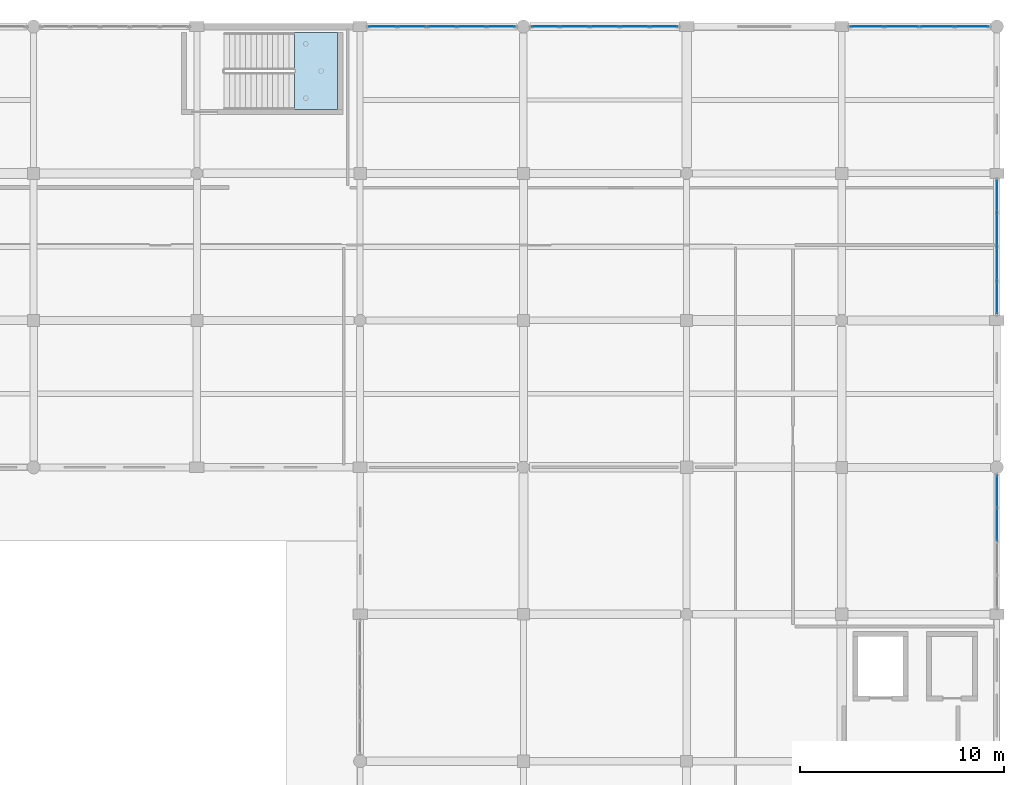
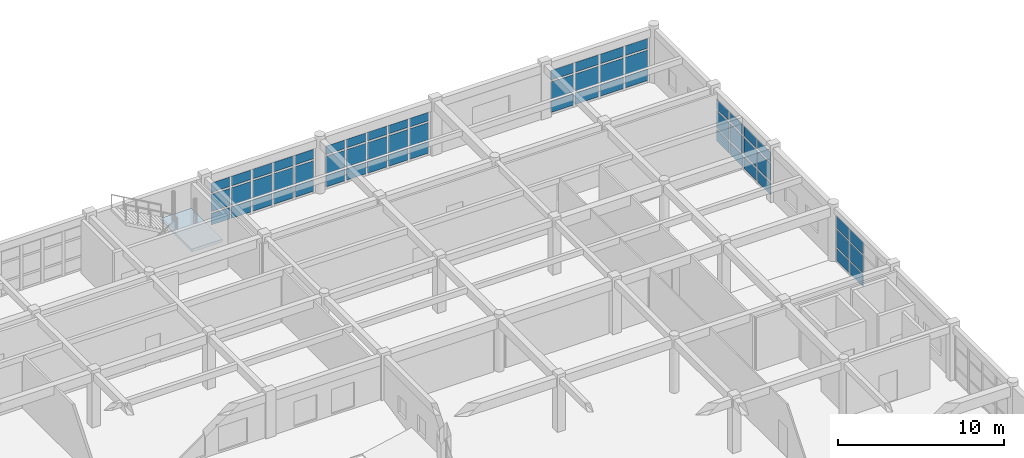
# One storey, part 100 of 121: 60 plates, 1 slab, 6 elements without a shape of their own.
"""IFC4 building model written with IfcOpenShell, lengths in metres."""

from ifc_helpers import new_model, si_unit, direction, frame, origin, origin_2d, place, context, subcontext, project, spatial, polyline, rectangle, outline, extrude, material, layer, layer_set, type_object, element, aggregate, save


model = new_model("IFC4")

# Units and contexts
model_context = context("Model", 3, precision=1e-05, world=origin(), true_north=direction((0.0, 1.0)))
body_context = subcontext(model_context, "Body", "Model", "MODEL_VIEW")
ifc_project = project(units=[si_unit("LENGTHUNIT", "METRE"), si_unit("AREAUNIT", "SQUARE_METRE"), si_unit("VOLUMEUNIT", "CUBIC_METRE"), si_unit("PLANEANGLEUNIT", "RADIAN"), si_unit("MASSUNIT", "GRAM", prefix="KILO")], contexts=[model_context])

# Site, building, storey
site_placement = place(None, origin())
site = spatial("IfcSite", under=ifc_project, at=site_placement, CompositionType="ELEMENT")
building_placement = place(site_placement, origin())
building = spatial("IfcBuilding", under=site, at=building_placement, Name="Kharva Crest Polytechnic", CompositionType="ELEMENT")
storey_placement = place(building_placement, frame((0.0, 0.0, 13.199951171875)))
storey = spatial("IfcBuildingStorey", under=building, at=storey_placement, Name="L03", CompositionType="ELEMENT", Elevation=13.199951171875)

# Curtain wall, plates
ifc_material_1 = material(Name="Tempered insulated glass", Category="glass")
curtain_wall_type_1 = type_object("IfcCurtainWallType", Name="CW-SYS-COURT", PredefinedType="USERDEFINED", material=ifc_material_1)
curtain_wall_1_placement = place(storey_placement, origin())
curtain_wall_1 = element("IfcCurtainWall", 1, at=curtain_wall_1_placement, inside=storey, type_object=curtain_wall_type_1, Name="L03 Glazed Curtain Wall CW-152", ObjectType="CURTAIN WALL", PredefinedType="USERDEFINED")
ifc_layer_1 = layer(ifc_material_1, 0.02392578125, Name="Tempered insulated glass")
ifc_layer_set_1 = layer_set([ifc_layer_1], Name="Tempered insulated glass")
plate_type_1 = type_object("IfcPlateType", Name="CWP-GLZ-24", PredefinedType="CURTAIN_PANEL", material=ifc_layer_set_1)
plate_1_placement = place(storey_placement, frame((184.0, 97.592529296875, 0.119873046875), z_axis=(0.0, 0.0, 1.0), x_axis=(0.0, 1.0, 0.0)))
plate_1 = element("IfcPlate", 2, at=plate_1_placement, type_object=plate_type_1, Name="CW-152 panel 3.1", PredefinedType="CURTAIN_PANEL", context=body_context, shape_type="SweptSolid", body=[
    extrude(rectangle(XDim=1.574951171875, YDim=0.02392578125, at=origin_2d()), origin(), (0.0, 0.0, 1.0), 0.8701171875),
])
plate_2_placement = place(storey_placement, frame((184.0, 97.592529296875, 1.10986328125), z_axis=(0.0, 0.0, 1.0), x_axis=(0.0, 1.0, 0.0)))
plate_2 = element("IfcPlate", 3, at=plate_2_placement, type_object=plate_type_1, Name="CW-152 panel 3.2", PredefinedType="CURTAIN_PANEL", context=body_context, shape_type="SweptSolid", body=[
    extrude(rectangle(XDim=1.574951171875, YDim=0.02392578125, at=origin_2d()), origin(), (0.0, 0.0, 1.0), 1.280029296875),
])
plate_3_placement = place(storey_placement, frame((184.0, 97.592529296875, 2.51025390625), z_axis=(0.0, 0.0, 1.0), x_axis=(0.0, 1.0, 0.0)))
plate_3 = element("IfcPlate", 4, at=plate_3_placement, type_object=plate_type_1, Name="CW-152 panel 3.3", PredefinedType="CURTAIN_PANEL", context=body_context, shape_type="SweptSolid", body=[
    extrude(rectangle(XDim=1.574951171875, YDim=0.02392578125, at=origin_2d()), origin(), (0.0, 0.0, 1.0), 0.889892578125),
])
plate_4_placement = place(storey_placement, frame((184.0, 99.2275390625, 0.119873046875), z_axis=(0.0, 0.0, 1.0), x_axis=(0.0, 1.0, 0.0)))
plate_4 = element("IfcPlate", 5, at=plate_4_placement, type_object=plate_type_1, Name="CW-152 panel 4.1", PredefinedType="CURTAIN_PANEL", context=body_context, shape_type="SweptSolid", body=[
    extrude(rectangle(XDim=1.534912109375, YDim=0.02392578125, at=origin_2d()), origin(), (0.0, 0.0, 1.0), 0.8701171875),
])
plate_5_placement = place(storey_placement, frame((184.0, 99.2275390625, 1.10986328125), z_axis=(0.0, 0.0, 1.0), x_axis=(0.0, 1.0, 0.0)))
plate_5 = element("IfcPlate", 6, at=plate_5_placement, type_object=plate_type_1, Name="CW-152 panel 4.2", PredefinedType="CURTAIN_PANEL", context=body_context, shape_type="SweptSolid", body=[
    extrude(rectangle(XDim=1.534912109375, YDim=0.02392578125, at=origin_2d()), origin(), (0.0, 0.0, 1.0), 1.280029296875),
])
plate_6_placement = place(storey_placement, frame((184.0, 99.2275390625, 2.51025390625), z_axis=(0.0, 0.0, 1.0), x_axis=(0.0, 1.0, 0.0)))
plate_6 = element("IfcPlate", 7, at=plate_6_placement, type_object=plate_type_1, Name="CW-152 panel 4.3", PredefinedType="CURTAIN_PANEL", context=body_context, shape_type="SweptSolid", body=[
    extrude(rectangle(XDim=1.534912109375, YDim=0.02392578125, at=origin_2d()), origin(), (0.0, 0.0, 1.0), 0.889892578125),
])
aggregate(curtain_wall_1, [plate_1, plate_2, plate_3, plate_4, plate_5, plate_6])

curtain_wall_type_2 = type_object("IfcCurtainWallType", Name="CW-SYS-LIBRARY", PredefinedType="USERDEFINED", material=ifc_material_1)
curtain_wall_2_placement = place(storey_placement, origin())
curtain_wall_2 = element("IfcCurtainWall", 8, at=curtain_wall_2_placement, inside=storey, type_object=curtain_wall_type_2, Name="L03 Glazed Curtain Wall CW-153", ObjectType="CURTAIN WALL", PredefinedType="USERDEFINED")
ifc_layer_2 = layer(ifc_material_1, 0.031982421875, Name="Tempered insulated glass")
ifc_layer_set_2 = layer_set([ifc_layer_2], Name="Tempered insulated glass")
plate_type_2 = type_object("IfcPlateType", Name="CWP-GLZ-32", PredefinedType="CURTAIN_PANEL", material=ifc_layer_set_2)
plate_7_placement = place(storey_placement, frame((184.0, 108.71630859375, 0.14013671875), z_axis=(0.0, 0.0, 1.0), x_axis=(0.0, 1.0, 0.0)))
plate_7 = element("IfcPlate", 9, at=plate_7_placement, type_object=plate_type_2, Name="CW-153 panel 1.1", PredefinedType="CURTAIN_PANEL", context=body_context, shape_type="SweptSolid", body=[
    extrude(rectangle(XDim=1.5224609375, YDim=0.031982421875, at=origin_2d()), origin(), (0.0, 0.0, 1.0), 0.840087890625),
])
plate_8_placement = place(storey_placement, frame((184.0, 108.71630859375, 1.1201171875), z_axis=(0.0, 0.0, 1.0), x_axis=(0.0, 1.0, 0.0)))
plate_8 = element("IfcPlate", 10, at=plate_8_placement, type_object=plate_type_2, Name="CW-153 panel 1.2", PredefinedType="CURTAIN_PANEL", context=body_context, shape_type="SweptSolid", body=[
    extrude(rectangle(XDim=1.5224609375, YDim=0.031982421875, at=origin_2d()), origin(), (0.0, 0.0, 1.0), 1.260009765625),
])
plate_9_placement = place(storey_placement, frame((184.0, 108.71630859375, 2.52001953125), z_axis=(0.0, 0.0, 1.0), x_axis=(0.0, 1.0, 0.0)))
plate_9 = element("IfcPlate", 11, at=plate_9_placement, type_object=plate_type_2, Name="CW-153 panel 1.3", PredefinedType="CURTAIN_PANEL", context=body_context, shape_type="SweptSolid", body=[
    extrude(rectangle(XDim=1.5224609375, YDim=0.031982421875, at=origin_2d()), origin(), (0.0, 0.0, 1.0), 0.719970703125),
])
plate_10_placement = place(storey_placement, frame((184.0, 110.36376953125, 0.14013671875), z_axis=(0.0, 0.0, 1.0), x_axis=(0.0, 1.0, 0.0)))
plate_10 = element("IfcPlate", 12, at=plate_10_placement, type_object=plate_type_2, Name="CW-153 panel 2.1", PredefinedType="CURTAIN_PANEL", context=body_context, shape_type="SweptSolid", body=[
    extrude(rectangle(XDim=1.572509765625, YDim=0.031982421875, at=origin_2d()), origin(), (0.0, 0.0, 1.0), 0.840087890625),
])
plate_11_placement = place(storey_placement, frame((184.0, 110.36376953125, 1.1201171875), z_axis=(0.0, 0.0, 1.0), x_axis=(0.0, 1.0, 0.0)))
plate_11 = element("IfcPlate", 13, at=plate_11_placement, type_object=plate_type_2, Name="CW-153 panel 2.2", PredefinedType="CURTAIN_PANEL", context=body_context, shape_type="SweptSolid", body=[
    extrude(rectangle(XDim=1.572509765625, YDim=0.031982421875, at=origin_2d()), origin(), (0.0, 0.0, 1.0), 1.260009765625),
])
plate_12_placement = place(storey_placement, frame((184.0, 110.36376953125, 2.52001953125), z_axis=(0.0, 0.0, 1.0), x_axis=(0.0, 1.0, 0.0)))
plate_12 = element("IfcPlate", 14, at=plate_12_placement, type_object=plate_type_2, Name="CW-153 panel 2.3", PredefinedType="CURTAIN_PANEL", context=body_context, shape_type="SweptSolid", body=[
    extrude(rectangle(XDim=1.572509765625, YDim=0.031982421875, at=origin_2d()), origin(), (0.0, 0.0, 1.0), 0.719970703125),
])
plate_13_placement = place(storey_placement, frame((184.0, 112.0361328125, 0.14013671875), z_axis=(0.0, 0.0, 1.0), x_axis=(0.0, 1.0, 0.0)))
plate_13 = element("IfcPlate", 15, at=plate_13_placement, type_object=plate_type_2, Name="CW-153 panel 3.1", PredefinedType="CURTAIN_PANEL", context=body_context, shape_type="SweptSolid", body=[
    extrude(rectangle(XDim=1.572509765625, YDim=0.031982421875, at=origin_2d()), origin(), (0.0, 0.0, 1.0), 0.840087890625),
])
plate_14_placement = place(storey_placement, frame((184.0, 112.0361328125, 1.1201171875), z_axis=(0.0, 0.0, 1.0), x_axis=(0.0, 1.0, 0.0)))
plate_14 = element("IfcPlate", 16, at=plate_14_placement, type_object=plate_type_2, Name="CW-153 panel 3.2", PredefinedType="CURTAIN_PANEL", context=body_context, shape_type="SweptSolid", body=[
    extrude(rectangle(XDim=1.572509765625, YDim=0.031982421875, at=origin_2d()), origin(), (0.0, 0.0, 1.0), 1.260009765625),
])
plate_15_placement = place(storey_placement, frame((184.0, 112.0361328125, 2.52001953125), z_axis=(0.0, 0.0, 1.0), x_axis=(0.0, 1.0, 0.0)))
plate_15 = element("IfcPlate", 17, at=plate_15_placement, type_object=plate_type_2, Name="CW-153 panel 3.3", PredefinedType="CURTAIN_PANEL", context=body_context, shape_type="SweptSolid", body=[
    extrude(rectangle(XDim=1.572509765625, YDim=0.031982421875, at=origin_2d()), origin(), (0.0, 0.0, 1.0), 0.719970703125),
])
plate_16_placement = place(storey_placement, frame((184.0, 113.683837890625, 0.14013671875), z_axis=(0.0, 0.0, 1.0), x_axis=(0.0, 1.0, 0.0)))
plate_16 = element("IfcPlate", 18, at=plate_16_placement, type_object=plate_type_2, Name="CW-153 panel 4.1", PredefinedType="CURTAIN_PANEL", context=body_context, shape_type="SweptSolid", body=[
    extrude(rectangle(XDim=1.5224609375, YDim=0.031982421875, at=origin_2d()), origin(), (0.0, 0.0, 1.0), 0.840087890625),
])
plate_17_placement = place(storey_placement, frame((184.0, 113.683837890625, 1.1201171875), z_axis=(0.0, 0.0, 1.0), x_axis=(0.0, 1.0, 0.0)))
plate_17 = element("IfcPlate", 19, at=plate_17_placement, type_object=plate_type_2, Name="CW-153 panel 4.2", PredefinedType="CURTAIN_PANEL", context=body_context, shape_type="SweptSolid", body=[
    extrude(rectangle(XDim=1.5224609375, YDim=0.031982421875, at=origin_2d()), origin(), (0.0, 0.0, 1.0), 1.260009765625),
])
plate_18_placement = place(storey_placement, frame((184.0, 113.683837890625, 2.52001953125), z_axis=(0.0, 0.0, 1.0), x_axis=(0.0, 1.0, 0.0)))
plate_18 = element("IfcPlate", 20, at=plate_18_placement, type_object=plate_type_2, Name="CW-153 panel 4.3", PredefinedType="CURTAIN_PANEL", context=body_context, shape_type="SweptSolid", body=[
    extrude(rectangle(XDim=1.5224609375, YDim=0.031982421875, at=origin_2d()), origin(), (0.0, 0.0, 1.0), 0.719970703125),
])
aggregate(curtain_wall_2, [plate_7, plate_8, plate_9, plate_10, plate_11, plate_12, plate_13, plate_14, plate_15, plate_16, plate_17, plate_18])

curtain_wall_3_placement = place(storey_placement, origin())
curtain_wall_3 = element("IfcCurtainWall", 21, at=curtain_wall_3_placement, inside=storey, type_object=curtain_wall_type_2, Name="L03 Glazed Curtain Wall CW-154", ObjectType="CURTAIN WALL", PredefinedType="USERDEFINED")
plate_19_placement = place(storey_placement, frame((182.78369140625, 122.0, 0.14013671875), z_axis=(0.0, 0.0, 1.0), x_axis=(-1.0, 0.0, 0.0)))
plate_19 = element("IfcPlate", 22, at=plate_19_placement, type_object=plate_type_2, Name="CW-154 panel 1.1", PredefinedType="CURTAIN_PANEL", context=body_context, shape_type="SweptSolid", body=[
    extrude(rectangle(XDim=1.58251953125, YDim=0.031982421875, at=origin_2d()), origin(), (0.0, 0.0, 1.0), 0.840087890625),
])
plate_20_placement = place(storey_placement, frame((182.78369140625, 122.0, 1.1201171875), z_axis=(0.0, 0.0, 1.0), x_axis=(-1.0, 0.0, 0.0)))
plate_20 = element("IfcPlate", 23, at=plate_20_placement, type_object=plate_type_2, Name="CW-154 panel 1.2", PredefinedType="CURTAIN_PANEL", context=body_context, shape_type="SweptSolid", body=[
    extrude(rectangle(XDim=1.58251953125, YDim=0.031982421875, at=origin_2d()), origin(), (0.0, 0.0, 1.0), 1.260009765625),
])
plate_21_placement = place(storey_placement, frame((182.78369140625, 122.0, 2.52001953125), z_axis=(0.0, 0.0, 1.0), x_axis=(-1.0, 0.0, 0.0)))
plate_21 = element("IfcPlate", 24, at=plate_21_placement, type_object=plate_type_2, Name="CW-154 panel 1.3", PredefinedType="CURTAIN_PANEL", context=body_context, shape_type="SweptSolid", body=[
    extrude(rectangle(XDim=1.58251953125, YDim=0.031982421875, at=origin_2d()), origin(), (0.0, 0.0, 1.0), 0.699951171875),
])
plate_22_placement = place(storey_placement, frame((181.076171875, 122.0, 0.14013671875), z_axis=(0.0, 0.0, 1.0), x_axis=(-1.0, 0.0, 0.0)))
plate_22 = element("IfcPlate", 25, at=plate_22_placement, type_object=plate_type_2, Name="CW-154 panel 2.1", PredefinedType="CURTAIN_PANEL", context=body_context, shape_type="SweptSolid", body=[
    extrude(rectangle(XDim=1.632568359375, YDim=0.031982421875, at=origin_2d()), origin(), (0.0, 0.0, 1.0), 0.840087890625),
])
plate_23_placement = place(storey_placement, frame((181.076171875, 122.0, 1.1201171875), z_axis=(0.0, 0.0, 1.0), x_axis=(-1.0, 0.0, 0.0)))
plate_23 = element("IfcPlate", 26, at=plate_23_placement, type_object=plate_type_2, Name="CW-154 panel 2.2", PredefinedType="CURTAIN_PANEL", context=body_context, shape_type="SweptSolid", body=[
    extrude(rectangle(XDim=1.632568359375, YDim=0.031982421875, at=origin_2d()), origin(), (0.0, 0.0, 1.0), 1.260009765625),
])
plate_24_placement = place(storey_placement, frame((181.076171875, 122.0, 2.52001953125), z_axis=(0.0, 0.0, 1.0), x_axis=(-1.0, 0.0, 0.0)))
plate_24 = element("IfcPlate", 27, at=plate_24_placement, type_object=plate_type_2, Name="CW-154 panel 2.3", PredefinedType="CURTAIN_PANEL", context=body_context, shape_type="SweptSolid", body=[
    extrude(rectangle(XDim=1.632568359375, YDim=0.031982421875, at=origin_2d()), origin(), (0.0, 0.0, 1.0), 0.699951171875),
])
plate_25_placement = place(storey_placement, frame((179.34375, 122.0, 0.14013671875), z_axis=(0.0, 0.0, 1.0), x_axis=(-1.0, 0.0, 0.0)))
plate_25 = element("IfcPlate", 28, at=plate_25_placement, type_object=plate_type_2, Name="CW-154 panel 3.1", PredefinedType="CURTAIN_PANEL", context=body_context, shape_type="SweptSolid", body=[
    extrude(rectangle(XDim=1.632568359375, YDim=0.031982421875, at=origin_2d()), origin(), (0.0, 0.0, 1.0), 0.840087890625),
])
plate_26_placement = place(storey_placement, frame((179.34375, 122.0, 1.1201171875), z_axis=(0.0, 0.0, 1.0), x_axis=(-1.0, 0.0, 0.0)))
plate_26 = element("IfcPlate", 29, at=plate_26_placement, type_object=plate_type_2, Name="CW-154 panel 3.2", PredefinedType="CURTAIN_PANEL", context=body_context, shape_type="SweptSolid", body=[
    extrude(rectangle(XDim=1.632568359375, YDim=0.031982421875, at=origin_2d()), origin(), (0.0, 0.0, 1.0), 1.260009765625),
])
plate_27_placement = place(storey_placement, frame((179.34375, 122.0, 2.52001953125), z_axis=(0.0, 0.0, 1.0), x_axis=(-1.0, 0.0, 0.0)))
plate_27 = element("IfcPlate", 30, at=plate_27_placement, type_object=plate_type_2, Name="CW-154 panel 3.3", PredefinedType="CURTAIN_PANEL", context=body_context, shape_type="SweptSolid", body=[
    extrude(rectangle(XDim=1.632568359375, YDim=0.031982421875, at=origin_2d()), origin(), (0.0, 0.0, 1.0), 0.699951171875),
])
plate_28_placement = place(storey_placement, frame((177.63623046875, 122.0, 0.14013671875), z_axis=(0.0, 0.0, 1.0), x_axis=(-1.0, 0.0, 0.0)))
plate_28 = element("IfcPlate", 31, at=plate_28_placement, type_object=plate_type_2, Name="CW-154 panel 4.1", PredefinedType="CURTAIN_PANEL", context=body_context, shape_type="SweptSolid", body=[
    extrude(rectangle(XDim=1.58251953125, YDim=0.031982421875, at=origin_2d()), origin(), (0.0, 0.0, 1.0), 0.840087890625),
])
plate_29_placement = place(storey_placement, frame((177.63623046875, 122.0, 1.1201171875), z_axis=(0.0, 0.0, 1.0), x_axis=(-1.0, 0.0, 0.0)))
plate_29 = element("IfcPlate", 32, at=plate_29_placement, type_object=plate_type_2, Name="CW-154 panel 4.2", PredefinedType="CURTAIN_PANEL", context=body_context, shape_type="SweptSolid", body=[
    extrude(rectangle(XDim=1.58251953125, YDim=0.031982421875, at=origin_2d()), origin(), (0.0, 0.0, 1.0), 1.260009765625),
])
plate_30_placement = place(storey_placement, frame((177.63623046875, 122.0, 2.52001953125), z_axis=(0.0, 0.0, 1.0), x_axis=(-1.0, 0.0, 0.0)))
plate_30 = element("IfcPlate", 33, at=plate_30_placement, type_object=plate_type_2, Name="CW-154 panel 4.3", PredefinedType="CURTAIN_PANEL", context=body_context, shape_type="SweptSolid", body=[
    extrude(rectangle(XDim=1.58251953125, YDim=0.031982421875, at=origin_2d()), origin(), (0.0, 0.0, 1.0), 0.699951171875),
])
aggregate(curtain_wall_3, [plate_19, plate_20, plate_21, plate_22, plate_23, plate_24, plate_25, plate_26, plate_27, plate_28, plate_29, plate_30])

curtain_wall_4_placement = place(storey_placement, origin())
curtain_wall_4 = element("IfcCurtainWall", 34, at=curtain_wall_4_placement, inside=storey, type_object=curtain_wall_type_2, Name="L03 Glazed Curtain Wall CW-155", ObjectType="CURTAIN WALL", PredefinedType="USERDEFINED")
plate_31_placement = place(storey_placement, frame((167.68798828125, 122.0, 0.14013671875), z_axis=(0.0, 0.0, 1.0), x_axis=(-1.0, 0.0, 0.0)))
plate_31 = element("IfcPlate", 35, at=plate_31_placement, type_object=plate_type_2, Name="CW-155 panel 1.1", PredefinedType="CURTAIN_PANEL", context=body_context, shape_type="SweptSolid", body=[
    extrude(rectangle(XDim=1.31396484375, YDim=0.031982421875, at=origin_2d()), origin(), (0.0, 0.0, 1.0), 0.840087890625),
])
plate_32_placement = place(storey_placement, frame((167.68798828125, 122.0, 1.1201171875), z_axis=(0.0, 0.0, 1.0), x_axis=(-1.0, 0.0, 0.0)))
plate_32 = element("IfcPlate", 36, at=plate_32_placement, type_object=plate_type_2, Name="CW-155 panel 1.2", PredefinedType="CURTAIN_PANEL", context=body_context, shape_type="SweptSolid", body=[
    extrude(rectangle(XDim=1.31396484375, YDim=0.031982421875, at=origin_2d()), origin(), (0.0, 0.0, 1.0), 1.260009765625),
])
plate_33_placement = place(storey_placement, frame((167.68798828125, 122.0, 2.52001953125), z_axis=(0.0, 0.0, 1.0), x_axis=(-1.0, 0.0, 0.0)))
plate_33 = element("IfcPlate", 37, at=plate_33_placement, type_object=plate_type_2, Name="CW-155 panel 1.3", PredefinedType="CURTAIN_PANEL", context=body_context, shape_type="SweptSolid", body=[
    extrude(rectangle(XDim=1.31396484375, YDim=0.031982421875, at=origin_2d()), origin(), (0.0, 0.0, 1.0), 0.6201171875),
])
plate_34_placement = place(storey_placement, frame((166.2490234375, 122.0, 0.14013671875), z_axis=(0.0, 0.0, 1.0), x_axis=(-1.0, 0.0, 0.0)))
plate_34 = element("IfcPlate", 38, at=plate_34_placement, type_object=plate_type_2, Name="CW-155 panel 2.1", PredefinedType="CURTAIN_PANEL", context=body_context, shape_type="SweptSolid", body=[
    extrude(rectangle(XDim=1.364013671875, YDim=0.031982421875, at=origin_2d()), origin(), (0.0, 0.0, 1.0), 0.840087890625),
])
plate_35_placement = place(storey_placement, frame((166.2490234375, 122.0, 1.1201171875), z_axis=(0.0, 0.0, 1.0), x_axis=(-1.0, 0.0, 0.0)))
plate_35 = element("IfcPlate", 39, at=plate_35_placement, type_object=plate_type_2, Name="CW-155 panel 2.2", PredefinedType="CURTAIN_PANEL", context=body_context, shape_type="SweptSolid", body=[
    extrude(rectangle(XDim=1.364013671875, YDim=0.031982421875, at=origin_2d()), origin(), (0.0, 0.0, 1.0), 1.260009765625),
])
plate_36_placement = place(storey_placement, frame((166.2490234375, 122.0, 2.52001953125), z_axis=(0.0, 0.0, 1.0), x_axis=(-1.0, 0.0, 0.0)))
plate_36 = element("IfcPlate", 40, at=plate_36_placement, type_object=plate_type_2, Name="CW-155 panel 2.3", PredefinedType="CURTAIN_PANEL", context=body_context, shape_type="SweptSolid", body=[
    extrude(rectangle(XDim=1.364013671875, YDim=0.031982421875, at=origin_2d()), origin(), (0.0, 0.0, 1.0), 0.6201171875),
])
plate_37_placement = place(storey_placement, frame((164.784912109375, 122.0, 0.14013671875), z_axis=(0.0, 0.0, 1.0), x_axis=(-1.0, 0.0, 0.0)))
plate_37 = element("IfcPlate", 41, at=plate_37_placement, type_object=plate_type_2, Name="CW-155 panel 3.1", PredefinedType="CURTAIN_PANEL", context=body_context, shape_type="SweptSolid", body=[
    extrude(rectangle(XDim=1.364013671875, YDim=0.031982421875, at=origin_2d()), origin(), (0.0, 0.0, 1.0), 0.840087890625),
])
plate_38_placement = place(storey_placement, frame((164.784912109375, 122.0, 1.1201171875), z_axis=(0.0, 0.0, 1.0), x_axis=(-1.0, 0.0, 0.0)))
plate_38 = element("IfcPlate", 42, at=plate_38_placement, type_object=plate_type_2, Name="CW-155 panel 3.2", PredefinedType="CURTAIN_PANEL", context=body_context, shape_type="SweptSolid", body=[
    extrude(rectangle(XDim=1.364013671875, YDim=0.031982421875, at=origin_2d()), origin(), (0.0, 0.0, 1.0), 1.260009765625),
])
plate_39_placement = place(storey_placement, frame((164.784912109375, 122.0, 2.52001953125), z_axis=(0.0, 0.0, 1.0), x_axis=(-1.0, 0.0, 0.0)))
plate_39 = element("IfcPlate", 43, at=plate_39_placement, type_object=plate_type_2, Name="CW-155 panel 3.3", PredefinedType="CURTAIN_PANEL", context=body_context, shape_type="SweptSolid", body=[
    extrude(rectangle(XDim=1.364013671875, YDim=0.031982421875, at=origin_2d()), origin(), (0.0, 0.0, 1.0), 0.6201171875),
])
plate_40_placement = place(storey_placement, frame((163.321044921875, 122.0, 0.14013671875), z_axis=(0.0, 0.0, 1.0), x_axis=(-1.0, 0.0, 0.0)))
plate_40 = element("IfcPlate", 44, at=plate_40_placement, type_object=plate_type_2, Name="CW-155 panel 4.1", PredefinedType="CURTAIN_PANEL", context=body_context, shape_type="SweptSolid", body=[
    extrude(rectangle(XDim=1.364013671875, YDim=0.031982421875, at=origin_2d()), origin(), (0.0, 0.0, 1.0), 0.840087890625),
])
plate_41_placement = place(storey_placement, frame((163.321044921875, 122.0, 1.1201171875), z_axis=(0.0, 0.0, 1.0), x_axis=(-1.0, 0.0, 0.0)))
plate_41 = element("IfcPlate", 45, at=plate_41_placement, type_object=plate_type_2, Name="CW-155 panel 4.2", PredefinedType="CURTAIN_PANEL", context=body_context, shape_type="SweptSolid", body=[
    extrude(rectangle(XDim=1.364013671875, YDim=0.031982421875, at=origin_2d()), origin(), (0.0, 0.0, 1.0), 1.260009765625),
])
plate_42_placement = place(storey_placement, frame((163.321044921875, 122.0, 2.52001953125), z_axis=(0.0, 0.0, 1.0), x_axis=(-1.0, 0.0, 0.0)))
plate_42 = element("IfcPlate", 46, at=plate_42_placement, type_object=plate_type_2, Name="CW-155 panel 4.3", PredefinedType="CURTAIN_PANEL", context=body_context, shape_type="SweptSolid", body=[
    extrude(rectangle(XDim=1.364013671875, YDim=0.031982421875, at=origin_2d()), origin(), (0.0, 0.0, 1.0), 0.6201171875),
])
plate_43_placement = place(storey_placement, frame((161.882080078125, 122.0, 0.14013671875), z_axis=(0.0, 0.0, 1.0), x_axis=(-1.0, 0.0, 0.0)))
plate_43 = element("IfcPlate", 47, at=plate_43_placement, type_object=plate_type_2, Name="CW-155 panel 5.1", PredefinedType="CURTAIN_PANEL", context=body_context, shape_type="SweptSolid", body=[
    extrude(rectangle(XDim=1.31396484375, YDim=0.031982421875, at=origin_2d()), origin(), (0.0, 0.0, 1.0), 0.840087890625),
])
plate_44_placement = place(storey_placement, frame((161.882080078125, 122.0, 1.1201171875), z_axis=(0.0, 0.0, 1.0), x_axis=(-1.0, 0.0, 0.0)))
plate_44 = element("IfcPlate", 48, at=plate_44_placement, type_object=plate_type_2, Name="CW-155 panel 5.2", PredefinedType="CURTAIN_PANEL", context=body_context, shape_type="SweptSolid", body=[
    extrude(rectangle(XDim=1.31396484375, YDim=0.031982421875, at=origin_2d()), origin(), (0.0, 0.0, 1.0), 1.260009765625),
])
plate_45_placement = place(storey_placement, frame((161.882080078125, 122.0, 2.52001953125), z_axis=(0.0, 0.0, 1.0), x_axis=(-1.0, 0.0, 0.0)))
plate_45 = element("IfcPlate", 49, at=plate_45_placement, type_object=plate_type_2, Name="CW-155 panel 5.3", PredefinedType="CURTAIN_PANEL", context=body_context, shape_type="SweptSolid", body=[
    extrude(rectangle(XDim=1.31396484375, YDim=0.031982421875, at=origin_2d()), origin(), (0.0, 0.0, 1.0), 0.6201171875),
])
aggregate(curtain_wall_4, [plate_31, plate_32, plate_33, plate_34, plate_35, plate_36, plate_37, plate_38, plate_39, plate_40, plate_41, plate_42, plate_43, plate_44, plate_45])

curtain_wall_5_placement = place(storey_placement, origin())
curtain_wall_5 = element("IfcCurtainWall", 50, at=curtain_wall_5_placement, inside=storey, type_object=curtain_wall_type_2, Name="L03 Glazed Curtain Wall CW-156", ObjectType="CURTAIN WALL", PredefinedType="USERDEFINED")
plate_46_placement = place(storey_placement, frame((159.717041015625, 122.0, 0.14013671875), z_axis=(0.0, 0.0, 1.0), x_axis=(-1.0, 0.0, 0.0)))
plate_46 = element("IfcPlate", 51, at=plate_46_placement, type_object=plate_type_2, Name="CW-156 panel 1.1", PredefinedType="CURTAIN_PANEL", context=body_context, shape_type="SweptSolid", body=[
    extrude(rectangle(XDim=1.31591796875, YDim=0.031982421875, at=origin_2d()), origin(), (0.0, 0.0, 1.0), 0.840087890625),
])
plate_47_placement = place(storey_placement, frame((159.717041015625, 122.0, 1.1201171875), z_axis=(0.0, 0.0, 1.0), x_axis=(-1.0, 0.0, 0.0)))
plate_47 = element("IfcPlate", 52, at=plate_47_placement, type_object=plate_type_2, Name="CW-156 panel 1.2", PredefinedType="CURTAIN_PANEL", context=body_context, shape_type="SweptSolid", body=[
    extrude(rectangle(XDim=1.31591796875, YDim=0.031982421875, at=origin_2d()), origin(), (0.0, 0.0, 1.0), 1.260009765625),
])
plate_48_placement = place(storey_placement, frame((159.717041015625, 122.0, 2.52001953125), z_axis=(0.0, 0.0, 1.0), x_axis=(-1.0, 0.0, 0.0)))
plate_48 = element("IfcPlate", 53, at=plate_48_placement, type_object=plate_type_2, Name="CW-156 panel 1.3", PredefinedType="CURTAIN_PANEL", context=body_context, shape_type="SweptSolid", body=[
    extrude(rectangle(XDim=1.31591796875, YDim=0.031982421875, at=origin_2d()), origin(), (0.0, 0.0, 1.0), 0.699951171875),
])
plate_49_placement = place(storey_placement, frame((158.27587890625, 122.0, 0.14013671875), z_axis=(0.0, 0.0, 1.0), x_axis=(-1.0, 0.0, 0.0)))
plate_49 = element("IfcPlate", 54, at=plate_49_placement, type_object=plate_type_2, Name="CW-156 panel 2.1", PredefinedType="CURTAIN_PANEL", context=body_context, shape_type="SweptSolid", body=[
    extrude(rectangle(XDim=1.365966796875, YDim=0.031982421875, at=origin_2d()), origin(), (0.0, 0.0, 1.0), 0.840087890625),
])
plate_50_placement = place(storey_placement, frame((158.27587890625, 122.0, 1.1201171875), z_axis=(0.0, 0.0, 1.0), x_axis=(-1.0, 0.0, 0.0)))
plate_50 = element("IfcPlate", 55, at=plate_50_placement, type_object=plate_type_2, Name="CW-156 panel 2.2", PredefinedType="CURTAIN_PANEL", context=body_context, shape_type="SweptSolid", body=[
    extrude(rectangle(XDim=1.365966796875, YDim=0.031982421875, at=origin_2d()), origin(), (0.0, 0.0, 1.0), 1.260009765625),
])
plate_51_placement = place(storey_placement, frame((158.27587890625, 122.0, 2.52001953125), z_axis=(0.0, 0.0, 1.0), x_axis=(-1.0, 0.0, 0.0)))
plate_51 = element("IfcPlate", 56, at=plate_51_placement, type_object=plate_type_2, Name="CW-156 panel 2.3", PredefinedType="CURTAIN_PANEL", context=body_context, shape_type="SweptSolid", body=[
    extrude(rectangle(XDim=1.365966796875, YDim=0.031982421875, at=origin_2d()), origin(), (0.0, 0.0, 1.0), 0.699951171875),
])
plate_52_placement = place(storey_placement, frame((156.81005859375, 122.0, 0.14013671875), z_axis=(0.0, 0.0, 1.0), x_axis=(-1.0, 0.0, 0.0)))
plate_52 = element("IfcPlate", 57, at=plate_52_placement, type_object=plate_type_2, Name="CW-156 panel 3.1", PredefinedType="CURTAIN_PANEL", context=body_context, shape_type="SweptSolid", body=[
    extrude(rectangle(XDim=1.365966796875, YDim=0.031982421875, at=origin_2d()), origin(), (0.0, 0.0, 1.0), 0.840087890625),
])
plate_53_placement = place(storey_placement, frame((156.81005859375, 122.0, 1.1201171875), z_axis=(0.0, 0.0, 1.0), x_axis=(-1.0, 0.0, 0.0)))
plate_53 = element("IfcPlate", 58, at=plate_53_placement, type_object=plate_type_2, Name="CW-156 panel 3.2", PredefinedType="CURTAIN_PANEL", context=body_context, shape_type="SweptSolid", body=[
    extrude(rectangle(XDim=1.365966796875, YDim=0.031982421875, at=origin_2d()), origin(), (0.0, 0.0, 1.0), 1.260009765625),
])
plate_54_placement = place(storey_placement, frame((156.81005859375, 122.0, 2.52001953125), z_axis=(0.0, 0.0, 1.0), x_axis=(-1.0, 0.0, 0.0)))
plate_54 = element("IfcPlate", 59, at=plate_54_placement, type_object=plate_type_2, Name="CW-156 panel 3.3", PredefinedType="CURTAIN_PANEL", context=body_context, shape_type="SweptSolid", body=[
    extrude(rectangle(XDim=1.365966796875, YDim=0.031982421875, at=origin_2d()), origin(), (0.0, 0.0, 1.0), 0.699951171875),
])
plate_55_placement = place(storey_placement, frame((155.343994140625, 122.0, 0.14013671875), z_axis=(0.0, 0.0, 1.0), x_axis=(-1.0, 0.0, 0.0)))
plate_55 = element("IfcPlate", 60, at=plate_55_placement, type_object=plate_type_2, Name="CW-156 panel 4.1", PredefinedType="CURTAIN_PANEL", context=body_context, shape_type="SweptSolid", body=[
    extrude(rectangle(XDim=1.365966796875, YDim=0.031982421875, at=origin_2d()), origin(), (0.0, 0.0, 1.0), 0.840087890625),
])
plate_56_placement = place(storey_placement, frame((155.343994140625, 122.0, 1.1201171875), z_axis=(0.0, 0.0, 1.0), x_axis=(-1.0, 0.0, 0.0)))
plate_56 = element("IfcPlate", 61, at=plate_56_placement, type_object=plate_type_2, Name="CW-156 panel 4.2", PredefinedType="CURTAIN_PANEL", context=body_context, shape_type="SweptSolid", body=[
    extrude(rectangle(XDim=1.365966796875, YDim=0.031982421875, at=origin_2d()), origin(), (0.0, 0.0, 1.0), 1.260009765625),
])
plate_57_placement = place(storey_placement, frame((155.343994140625, 122.0, 2.52001953125), z_axis=(0.0, 0.0, 1.0), x_axis=(-1.0, 0.0, 0.0)))
plate_57 = element("IfcPlate", 62, at=plate_57_placement, type_object=plate_type_2, Name="CW-156 panel 4.3", PredefinedType="CURTAIN_PANEL", context=body_context, shape_type="SweptSolid", body=[
    extrude(rectangle(XDim=1.365966796875, YDim=0.031982421875, at=origin_2d()), origin(), (0.0, 0.0, 1.0), 0.699951171875),
])
plate_58_placement = place(storey_placement, frame((153.903076171875, 122.0, 0.14013671875), z_axis=(0.0, 0.0, 1.0), x_axis=(-1.0, 0.0, 0.0)))
plate_58 = element("IfcPlate", 63, at=plate_58_placement, type_object=plate_type_2, Name="CW-156 panel 5.1", PredefinedType="CURTAIN_PANEL", context=body_context, shape_type="SweptSolid", body=[
    extrude(rectangle(XDim=1.31591796875, YDim=0.031982421875, at=origin_2d()), origin(), (0.0, 0.0, 1.0), 0.840087890625),
])
plate_59_placement = place(storey_placement, frame((153.903076171875, 122.0, 1.1201171875), z_axis=(0.0, 0.0, 1.0), x_axis=(-1.0, 0.0, 0.0)))
plate_59 = element("IfcPlate", 64, at=plate_59_placement, type_object=plate_type_2, Name="CW-156 panel 5.2", PredefinedType="CURTAIN_PANEL", context=body_context, shape_type="SweptSolid", body=[
    extrude(rectangle(XDim=1.31591796875, YDim=0.031982421875, at=origin_2d()), origin(), (0.0, 0.0, 1.0), 1.260009765625),
])
plate_60_placement = place(storey_placement, frame((153.903076171875, 122.0, 2.52001953125), z_axis=(0.0, 0.0, 1.0), x_axis=(-1.0, 0.0, 0.0)))
plate_60 = element("IfcPlate", 65, at=plate_60_placement, type_object=plate_type_2, Name="CW-156 panel 5.3", PredefinedType="CURTAIN_PANEL", context=body_context, shape_type="SweptSolid", body=[
    extrude(rectangle(XDim=1.31591796875, YDim=0.031982421875, at=origin_2d()), origin(), (0.0, 0.0, 1.0), 0.699951171875),
])
aggregate(curtain_wall_5, [plate_46, plate_47, plate_48, plate_49, plate_50, plate_51, plate_52, plate_53, plate_54, plate_55, plate_56, plate_57, plate_58, plate_59, plate_60])

# Stair, slab
ifc_material_2 = material(Name="Concrete C35/45", Category="concrete")
stair_type = type_object("IfcStairType", Name="STR-DOGLEG-1820", PredefinedType="TWO_STRAIGHT_RUN_STAIR", material=ifc_material_2)
stair_placement = place(storey_placement, origin())
stair = element("IfcStair", 66, at=stair_placement, inside=storey, type_object=stair_type, Name="L03 North-East Library Wing Stair C9", PredefinedType="TWO_STRAIGHT_RUN_STAIR")
ifc_layer_3 = layer(ifc_material_2, 0.199951171875, Name="Concrete C35/45")
ifc_layer_set_3 = layer_set([ifc_layer_3], Name="Concrete C35/45")
slab_type = type_object("IfcSlabType", Name="SLB-LAND-200", PredefinedType="LANDING", material=ifc_layer_set_3)
slab_placement = place(storey_placement, frame((0.0, 0.0, 1.900146484375)))
slab = element("IfcSlab", 67, at=slab_placement, type_object=slab_type, Name="ST-09 landing 1", PredefinedType="LANDING", context=body_context, shape_type="SweptSolid", body=[
    extrude(outline(polyline([(149.574951171875, 117.93994140625), (151.699951171875, 117.93994140625), (151.699951171875, 121.699951171875), (149.574951171875, 121.699951171875), (149.574951171875, 117.93994140625)])), origin(), (0.0, 0.0, 1.0), 0.199951171875),
])
aggregate(stair, [slab])

save(model, "model.ifc")
